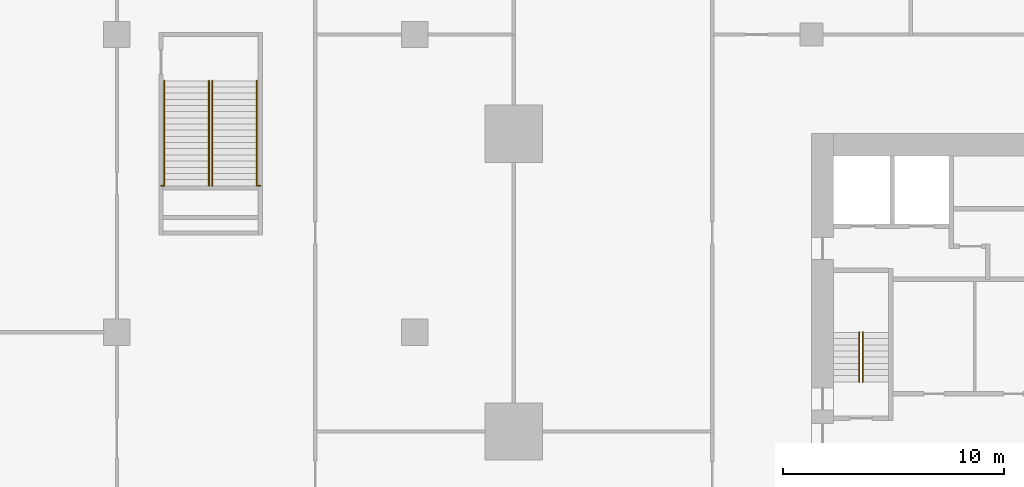
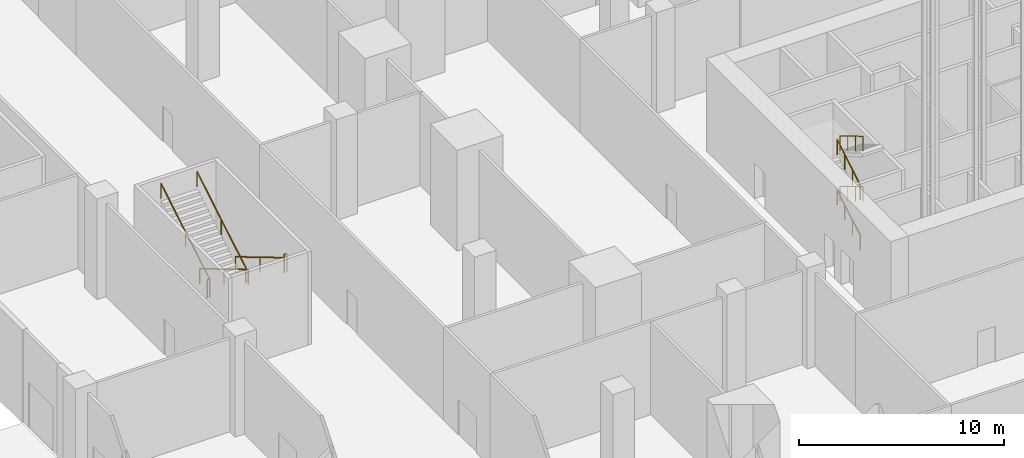
# One storey, part 59 of 68: 10 railings.
"""IFC4 building model written with IfcOpenShell, lengths in metres."""

from ifc_helpers import new_model, si_unit, direction, frame, origin, origin_2d, place, context, subcontext, project, spatial, circle, extrude, source, transform, mapped, material, type_object, element, save


model = new_model("IFC4")

# Units and contexts
model_context = context("Model", 3, precision=1e-05, world=origin(), true_north=direction((0.0, 1.0)))
body_context = subcontext(model_context, "Body", "Model", "MODEL_VIEW")
ifc_project = project(units=[si_unit("LENGTHUNIT", "METRE"), si_unit("AREAUNIT", "SQUARE_METRE"), si_unit("VOLUMEUNIT", "CUBIC_METRE"), si_unit("PLANEANGLEUNIT", "RADIAN"), si_unit("MASSUNIT", "GRAM", prefix="KILO")], contexts=[model_context])

# Site, building, storey
site_placement = place(None, origin())
site = spatial("IfcSite", under=ifc_project, at=site_placement, CompositionType="ELEMENT")
building_placement = place(site_placement, origin())
building = spatial("IfcBuilding", under=site, at=building_placement, Name="Altepetl Exchange Towers", CompositionType="ELEMENT")
storey_placement = place(building_placement, origin())
storey = spatial("IfcBuildingStorey", under=building, at=storey_placement, Name="L00 Ground concourse", CompositionType="ELEMENT", Elevation=0.0)

# Railings
ifc_material_1 = material(Name="Steel", Category="steel")
railing_type_1 = type_object("IfcRailingType", Name="Stair handrail 50 steel tube", PredefinedType="HANDRAIL", material=ifc_material_1)
shared_shape_1 = source(origin(), body_context, "Body", "SweptSolid", [
    extrude(circle(Radius=0.02099609375, at=origin_2d()), origin(), (0.0, 0.0, 1.0), 0.851806640625),
])
railing_1_placement = place(storey_placement, frame((42.669921875, 47.25, 0.166748046875)))
element("IfcRailing", 1, at=railing_1_placement, inside=storey, type_object=railing_type_1, Name="Stair handrail", PredefinedType="HANDRAIL", context=body_context, shape_type="SweptSolid", body=[
    extrude(circle(Radius=0.02392578125, at=origin_2d()), frame((0.0, 0.0, 0.8759765625), z_axis=(0.0, 0.859305625298, 0.511462454469), x_axis=(-1.0, 0.0, 0.0)), (0.0, 0.0, 1.0), 2.606689453125),
    mapped(shared_shape_1, transform((0.0, 0.0, 0.0))),
    mapped(shared_shape_1, transform((0.0, 0.74658203125, 0.4443359375))),
    mapped(shared_shape_1, transform((0.0, 1.493408203125, 0.888916015625))),
    mapped(shared_shape_1, transform((0.0, 2.239990234375, 1.333251953125))),
])
railing_2_placement = place(storey_placement, frame((42.830078125, 49.489990234375, 1.666748046875)))
element("IfcRailing", 2, at=railing_2_placement, inside=storey, type_object=railing_type_1, Name="Stair handrail", PredefinedType="HANDRAIL", context=body_context, shape_type="SweptSolid", body=[
    extrude(circle(Radius=0.02392578125, at=origin_2d()), frame((0.0, 0.0, 0.8759765625), z_axis=(0.0, -0.859305625298, 0.511462454469), x_axis=(1.0, 0.0, 0.0)), (0.0, 0.0, 1.0), 2.606689453125),
    mapped(shared_shape_1, transform((0.0, 0.0, 0.0))),
    mapped(shared_shape_1, transform((0.0, -0.74658203125, 0.4443359375))),
    mapped(shared_shape_1, transform((0.0, -1.493408203125, 0.888916015625))),
    mapped(shared_shape_1, transform((0.0, -2.239990234375, 1.333251953125))),
])
railing_3_placement = place(storey_placement, frame((42.669921875, 47.25, 3.166748046875)))
element("IfcRailing", 3, at=railing_3_placement, inside=storey, type_object=railing_type_1, Name="Stair handrail", PredefinedType="HANDRAIL", context=body_context, shape_type="SweptSolid", body=[
    extrude(circle(Radius=0.02392578125, at=origin_2d()), frame((0.0, 0.0, 0.8759765625), z_axis=(0.0, 0.859305625298, 0.511462454469), x_axis=(-1.0, 0.0, 0.0)), (0.0, 0.0, 1.0), 2.606689453125),
    mapped(shared_shape_1, transform((0.0, 0.0, 0.0))),
    mapped(shared_shape_1, transform((0.0, 0.74658203125, 0.4443359375))),
    mapped(shared_shape_1, transform((0.0, 1.493408203125, 0.888916015625))),
    mapped(shared_shape_1, transform((0.0, 2.239990234375, 1.333251953125))),
])
railing_4_placement = place(storey_placement, frame((42.830078125, 49.489990234375, 4.666748046875)))
element("IfcRailing", 4, at=railing_4_placement, inside=storey, type_object=railing_type_1, Name="Stair handrail", PredefinedType="HANDRAIL", context=body_context, shape_type="SweptSolid", body=[
    extrude(circle(Radius=0.02392578125, at=origin_2d()), frame((0.0, 0.0, 0.8759765625), z_axis=(0.0, -0.859305625298, 0.511462454469), x_axis=(1.0, 0.0, 0.0)), (0.0, 0.0, 1.0), 2.606689453125),
    mapped(shared_shape_1, transform((0.0, 0.0, 0.0))),
    mapped(shared_shape_1, transform((0.0, -0.74658203125, 0.4443359375))),
    mapped(shared_shape_1, transform((0.0, -1.493408203125, 0.888916015625))),
    mapped(shared_shape_1, transform((0.0, -2.239990234375, 1.333251953125))),
])
ifc_material_2 = material(Name="Laminated glass and steel", Category="steel")
railing_type_2 = type_object("IfcRailingType", Name="Hall gallery guard 1100", PredefinedType="GUARDRAIL", material=ifc_material_2)
shared_shape_2 = source(origin(), body_context, "Body", "SweptSolid", [
    extrude(circle(Radius=0.02001953125, at=origin_2d()), origin(), (0.0, 0.0, 1.0), 1.050048828125),
])
for number, where, name in (
    (5, (15.5, 56.139892578125, 3.0), "rail:P:L00:PZ1land0"),
    (6, (11.14990234375, 56.139892578125, 3.0), "rail:P:L00:PZ1land1"),
):
    element("IfcRailing", number, at=place(storey_placement, frame(where)), inside=storey, type_object=railing_type_2, Name=name, PredefinedType="GUARDRAIL", context=body_context, shape_type="SweptSolid", body=[
        extrude(circle(Radius=0.02490234375, at=origin_2d()), frame((0.0, 0.0, 1.0751953125), z_axis=(-1.0, 0.0, 0.0), x_axis=(0.0, -1.0, 0.0)), (0.0, 0.0, 1.0), 0.14990234375),
        mapped(shared_shape_2, transform((0.0, 0.0, 0.0))),
        mapped(shared_shape_2, transform((-0.14990234375, 0.0, 0.0))),
    ])
ifc_material_3 = material(Name="Stainless steel", Category="steel")
railing_type_3 = type_object("IfcRailingType", Name="Stair handrail 900", PredefinedType="HANDRAIL", material=ifc_material_3)
shared_shape_3 = source(origin(), body_context, "Body", "SweptSolid", [
    extrude(circle(Radius=0.02001953125, at=origin_2d()), origin(), (0.0, 0.0, 1.0), 0.849853515625),
])
for number, where, name in (
    (7, (15.35009765625, 60.89990234375, 0.166748046875), "rail:P:L00:PZ1:1a"),
    (8, (13.324951171875, 60.89990234375, 0.166748046875), "rail:P:L00:PZ1:1b"),
):
    element("IfcRailing", number, at=place(storey_placement, frame(where)), inside=storey, type_object=railing_type_3, Name=name, PredefinedType="HANDRAIL", context=body_context, shape_type="SweptSolid", body=[
        extrude(circle(Radius=0.02490234375, at=origin_2d()), frame((0.0, 0.0, 0.875), z_axis=(0.0, -0.859299802514, 0.511472237174), x_axis=(1.0, 0.0, 0.0)), (0.0, 0.0, 1.0), 5.539306640625),
        mapped(shared_shape_3, transform((0.0, 0.0, 0.0))),
        mapped(shared_shape_3, transform((0.0, -2.3798828125, 1.41650390625))),
        mapped(shared_shape_3, transform((0.0, -4.760009765625, 2.833251953125))),
    ])
for number, where, name in (
    (9, (13.175048828125, 56.139892578125, 3.166748046875), "rail:P:L00:PZ1:2a"),
    (10, (11.14990234375, 56.139892578125, 3.166748046875), "rail:P:L00:PZ1:2b"),
):
    element("IfcRailing", number, at=place(storey_placement, frame(where)), inside=storey, type_object=railing_type_3, Name=name, PredefinedType="HANDRAIL", context=body_context, shape_type="SweptSolid", body=[
        extrude(circle(Radius=0.02490234375, at=origin_2d()), frame((0.0, 0.0, 0.875), z_axis=(0.0, 0.859299802514, 0.511472237174), x_axis=(-1.0, 0.0, 0.0)), (0.0, 0.0, 1.0), 5.539306640625),
        mapped(shared_shape_3, transform((0.0, 0.0, 0.0))),
        mapped(shared_shape_3, transform((0.0, 2.3798828125, 1.41650390625))),
        mapped(shared_shape_3, transform((0.0, 4.760009765625, 2.833251953125))),
    ])

save(model, "model.ifc")
